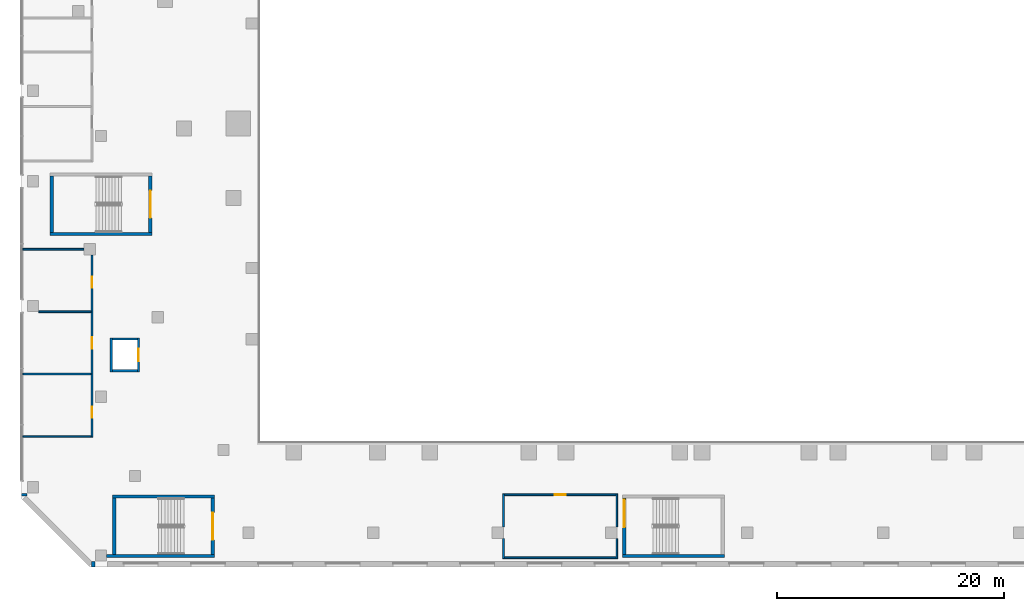
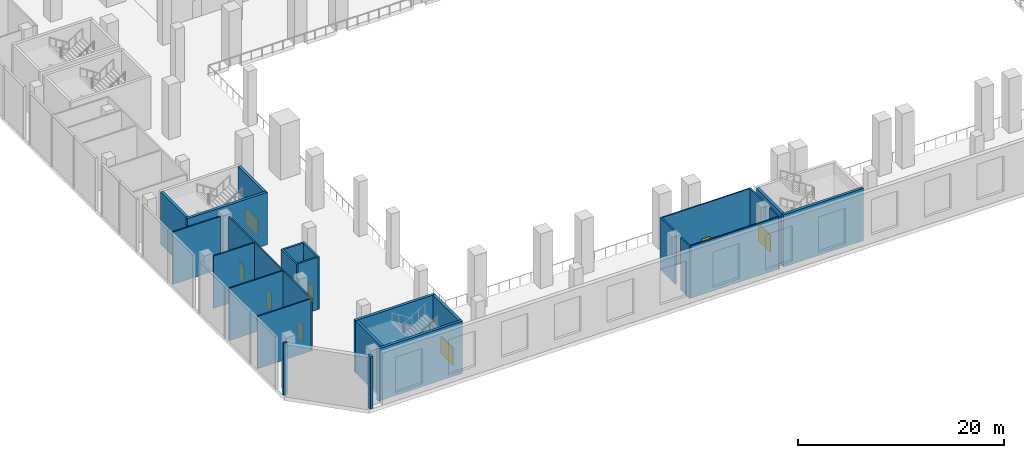
# One storey, part 10 of 30: 26 walls, 8 doors, 8 openings.
"""IFC4 building model written with IfcOpenShell, lengths in metres."""

from ifc_helpers import new_model, si_unit, direction, frame, frame_2d, origin, place, context, subcontext, project, spatial, rectangle, extrude, material, layer, layer_set, type_object, element, fill, save


model = new_model("IFC4")

# Units and contexts
model_context = context("Model", 3, precision=1e-05, world=origin(), true_north=direction((0.0, 1.0)))
body_context = subcontext(model_context, "Body", "Model", "MODEL_VIEW")
ifc_project = project(units=[si_unit("LENGTHUNIT", "METRE"), si_unit("AREAUNIT", "SQUARE_METRE"), si_unit("VOLUMEUNIT", "CUBIC_METRE"), si_unit("PLANEANGLEUNIT", "RADIAN"), si_unit("MASSUNIT", "GRAM", prefix="KILO")], contexts=[model_context])

# Site, building, storey
site_placement = place(None, origin())
site = spatial("IfcSite", under=ifc_project, at=site_placement, CompositionType="ELEMENT")
building_placement = place(site_placement, origin())
building = spatial("IfcBuilding", under=site, at=building_placement, Name="Wharfspan Tower", CompositionType="ELEMENT")
storey_placement = place(building_placement, frame((0.0, 0.0, 15.0)))
storey = spatial("IfcBuildingStorey", under=building, at=storey_placement, Name="L02", CompositionType="ELEMENT", Elevation=15.0)

# Wall
ifc_material_1 = material(Name="Calcium silicate masonry", Category="masonry")
ifc_layer_1 = layer(ifc_material_1, 0.149902)
ifc_layer_set_1 = layer_set([ifc_layer_1], Name="Calcium silicate masonry")
wall_type_1 = type_object("IfcWallType", Name="Podium room wall 150", PredefinedType="PARTITIONING", material=ifc_layer_set_1)
wall_1_placement = place(storey_placement, frame((-11.89502, -20.5, 0.0), z_axis=(0.0, 0.0, 1.0), x_axis=(1.0, 0.0, 0.0)))
element("IfcWall", 1, at=wall_1_placement, inside=storey, type_object=wall_type_1, Name="iw:L02:1", PredefinedType="PARTITIONING", context=body_context, shape_type="SweptSolid", body=[
    extrude(rectangle(XDim=6.02002, YDim=0.149902, at=frame_2d((3.01001, 0.0))), origin(), (0.0, 0.0, 1.0), 6.199951),
])

# Wall, openings, doors
wall_2_placement = place(storey_placement, frame((-5.800049, -20.574951, 0.0), z_axis=(0.0, 0.0, 1.0), x_axis=(0.0, 1.0, 0.0)))
wall_2 = element("IfcWall", 2, at=wall_2_placement, inside=storey, type_object=wall_type_1, Name="iw:L02:3", PredefinedType="PARTITIONING", context=body_context, shape_type="SweptSolid", body=[
    extrude(rectangle(XDim=16.064941, YDim=0.149902, at=frame_2d((8.032471, 0.0))), origin(), (0.0, 0.0, 1.0), 6.199951),
])
opening_1_placement = place(wall_2_placement, frame((1.709961, 0.0, 0.0)))
opening_1 = element("IfcOpeningElement", 3, at=opening_1_placement, cuts=wall_2, Name="Opening PD02.1", PredefinedType="OPENING", context=body_context, shape_type="SweptSolid", body=[
    extrude(rectangle(XDim=1.0, YDim=2.100098, at=frame_2d((0.5, 1.050049))), frame((0.0, 0.084961, 0.0), z_axis=(0.0, -1.0, 0.0), x_axis=(1.0, 0.0, 0.0)), (0.0, 0.0, 1.0), 0.169922),
])
opening_2_placement = place(wall_2_placement, frame((7.824951, 0.0, 0.0)))
opening_2 = element("IfcOpeningElement", 4, at=opening_2_placement, cuts=wall_2, Name="Opening PD02.2", PredefinedType="OPENING", context=body_context, shape_type="SweptSolid", body=[
    extrude(rectangle(XDim=1.0, YDim=2.100098, at=frame_2d((0.5, 1.050049))), frame((0.0, 0.084961, 0.0), z_axis=(0.0, -1.0, 0.0), x_axis=(1.0, 0.0, 0.0)), (0.0, 0.0, 1.0), 0.169922),
])
opening_3_placement = place(wall_2_placement, frame((13.169922, 0.0, 0.0)))
opening_3 = element("IfcOpeningElement", 5, at=opening_3_placement, cuts=wall_2, Name="Opening PD02.3", PredefinedType="OPENING", context=body_context, shape_type="SweptSolid", body=[
    extrude(rectangle(XDim=1.0, YDim=2.100098, at=frame_2d((0.5, 1.050049))), frame((0.0, 0.084961, 0.0), z_axis=(0.0, -1.0, 0.0), x_axis=(1.0, 0.0, 0.0)), (0.0, 0.0, 1.0), 0.169922),
])
ifc_material_2 = material(Name="Steel door leaf", Category="steel")
door_type_1 = type_object("IfcDoorType", Name="Podium room door 1000x2100", OperationType="SINGLE_SWING_LEFT", PredefinedType="DOOR", material=ifc_material_2)
door_1_placement = place(opening_1_placement, origin())
door_1 = element("IfcDoor", 6, at=door_1_placement, inside=storey, type_object=door_type_1, Name="id:L02:1", OperationType="SINGLE_SWING_RIGHT", OverallHeight=2.100098, OverallWidth=1.0, PredefinedType="DOOR", context=body_context, shape_type="SweptSolid", body=[
    extrude(rectangle(XDim=1.0, YDim=2.100098, at=frame_2d((0.5, 1.050049))), frame((0.0, 0.024902, 0.0), z_axis=(0.0, -1.0, 0.0), x_axis=(1.0, 0.0, 0.0)), (0.0, 0.0, 1.0), 0.050049),
])
fill(opening_1, door_1)
door_2_placement = place(opening_2_placement, origin())
door_2 = element("IfcDoor", 7, at=door_2_placement, inside=storey, type_object=door_type_1, Name="id:L02:2", OperationType="SINGLE_SWING_LEFT", OverallHeight=2.100098, OverallWidth=1.0, PredefinedType="DOOR", context=body_context, shape_type="SweptSolid", body=[
    extrude(rectangle(XDim=1.0, YDim=2.100098, at=frame_2d((0.5, 1.050049))), frame((0.0, 0.024902, 0.0), z_axis=(0.0, -1.0, 0.0), x_axis=(1.0, 0.0, 0.0)), (0.0, 0.0, 1.0), 0.050049),
])
fill(opening_2, door_2)
door_3_placement = place(opening_3_placement, origin())
door_3 = element("IfcDoor", 8, at=door_3_placement, inside=storey, type_object=door_type_1, Name="id:L02:3", OperationType="SINGLE_SWING_RIGHT", OverallHeight=2.100098, OverallWidth=1.0, PredefinedType="DOOR", context=body_context, shape_type="SweptSolid", body=[
    extrude(rectangle(XDim=1.0, YDim=2.100098, at=frame_2d((0.5, 1.050049))), frame((0.0, 0.024902, 0.0), z_axis=(0.0, -1.0, 0.0), x_axis=(1.0, 0.0, 0.0)), (0.0, 0.0, 1.0), 0.050049),
])
fill(opening_3, door_3)

# Walls
wall_3_placement = place(storey_placement, frame((-11.89502, -15.0, 0.0), z_axis=(0.0, 0.0, 1.0), x_axis=(1.0, 0.0, 0.0)))
element("IfcWall", 9, at=wall_3_placement, inside=storey, type_object=wall_type_1, Name="iw:L02:6", PredefinedType="PARTITIONING", context=body_context, shape_type="SweptSolid", body=[
    extrude(rectangle(XDim=6.02002, YDim=0.149902, at=frame_2d((3.01001, 0.0))), origin(), (0.0, 0.0, 1.0), 6.199951),
])
wall_4_placement = place(storey_placement, frame((-10.48999, -9.5, 0.0), z_axis=(0.0, 0.0, 1.0), x_axis=(1.0, 0.0, 0.0)))
element("IfcWall", 10, at=wall_4_placement, inside=storey, type_object=wall_type_1, Name="iw:L02:8", PredefinedType="PARTITIONING", context=body_context, shape_type="SweptSolid", body=[
    extrude(rectangle(XDim=4.61499, YDim=0.149902, at=frame_2d((2.307617, 0.0))), origin(), (0.0, 0.0, 1.0), 6.199951),
])
wall_5_placement = place(storey_placement, frame((-11.89502, -4.0, 0.0), z_axis=(0.0, 0.0, 1.0), x_axis=(1.0, 0.0, 0.0)))
element("IfcWall", 11, at=wall_5_placement, inside=storey, type_object=wall_type_1, Name="iw:L02:10", PredefinedType="PARTITIONING", context=body_context, shape_type="SweptSolid", body=[
    extrude(rectangle(XDim=5.38501, YDim=0.149902, at=frame_2d((2.692383, 0.0))), origin(), (0.0, 0.0, 1.0), 6.199951),
])
wall_6_placement = place(storey_placement, frame((30.574951, -31.199951, 0.0), z_axis=(0.0, 0.0, 1.0), x_axis=(1.0, 0.0, 0.0)))
element("IfcWall", 12, at=wall_6_placement, inside=storey, type_object=wall_type_1, Name="iw:L02:41", PredefinedType="PARTITIONING", context=body_context, shape_type="SweptSolid", body=[
    extrude(rectangle(XDim=9.850098, YDim=0.149902, at=frame_2d((4.925049, 0.0))), origin(), (0.0, 0.0, 1.0), 6.199951),
])
wall_7_placement = place(storey_placement, frame((40.5, -31.274902, 0.0), z_axis=(0.0, 0.0, 1.0), x_axis=(0.0, 1.0, 0.0)))
element("IfcWall", 13, at=wall_7_placement, inside=storey, type_object=wall_type_1, Name="iw:L02:42", PredefinedType="PARTITIONING", context=body_context, shape_type="SweptSolid", body=[
    extrude(rectangle(XDim=1.764893, YDim=0.149902, at=frame_2d((0.882324, 0.0))), origin(), (0.0, 0.0, 1.0), 6.199951),
])
wall_8_placement = place(storey_placement, frame((40.5, -28.48999, 0.0), z_axis=(0.0, 0.0, 1.0), x_axis=(0.0, 1.0, 0.0)))
element("IfcWall", 14, at=wall_8_placement, inside=storey, type_object=wall_type_1, Name="iw:L02:43", PredefinedType="PARTITIONING", context=body_context, shape_type="SweptSolid", body=[
    extrude(rectangle(XDim=2.915039, YDim=0.149902, at=frame_2d((1.45752, 0.0))), origin(), (0.0, 0.0, 1.0), 6.199951),
])

# Wall, opening, door
wall_9_placement = place(storey_placement, frame((30.574951, -25.649902, 0.0), z_axis=(0.0, 0.0, 1.0), x_axis=(1.0, 0.0, 0.0)))
wall_9 = element("IfcWall", 15, at=wall_9_placement, inside=storey, type_object=wall_type_1, Name="iw:L02:44", PredefinedType="PARTITIONING", context=body_context, shape_type="SweptSolid", body=[
    extrude(rectangle(XDim=9.850098, YDim=0.149902, at=frame_2d((4.925049, 0.0))), origin(), (0.0, 0.0, 1.0), 6.199951),
])
opening_4_placement = place(wall_9_placement, frame((4.425049, 0.0, 0.0)))
opening_4 = element("IfcOpeningElement", 16, at=opening_4_placement, cuts=wall_9, Name="Opening PD02.22", PredefinedType="OPENING", context=body_context, shape_type="SweptSolid", body=[
    extrude(rectangle(XDim=1.0, YDim=2.100098, at=frame_2d((0.5, 1.050049))), frame((0.0, 0.084961, 0.0), z_axis=(0.0, -1.0, 0.0), x_axis=(1.0, 0.0, 0.0)), (0.0, 0.0, 1.0), 0.169922),
])
door_4_placement = place(opening_4_placement, origin())
door_4 = element("IfcDoor", 17, at=door_4_placement, inside=storey, type_object=door_type_1, Name="id:L02:22", OperationType="SINGLE_SWING_LEFT", OverallHeight=2.100098, OverallWidth=1.0, PredefinedType="DOOR", context=body_context, shape_type="SweptSolid", body=[
    extrude(rectangle(XDim=1.0, YDim=2.100098, at=frame_2d((0.5, 1.050049))), frame((0.0, 0.024902, 0.0), z_axis=(0.0, -1.0, 0.0), x_axis=(1.0, 0.0, 0.0)), (0.0, 0.0, 1.0), 0.050049),
])
fill(opening_4, door_4)

# Walls
wall_10_placement = place(storey_placement, frame((30.5, -31.274902, 0.0), z_axis=(0.0, 0.0, 1.0), x_axis=(0.0, 1.0, 0.0)))
element("IfcWall", 18, at=wall_10_placement, inside=storey, type_object=wall_type_1, Name="iw:L02:45", PredefinedType="PARTITIONING", context=body_context, shape_type="SweptSolid", body=[
    extrude(rectangle(XDim=1.764893, YDim=0.149902, at=frame_2d((0.882324, 0.0))), origin(), (0.0, 0.0, 1.0), 6.199951),
])
wall_11_placement = place(storey_placement, frame((30.5, -28.48999, 0.0), z_axis=(0.0, 0.0, 1.0), x_axis=(0.0, 1.0, 0.0)))
element("IfcWall", 19, at=wall_11_placement, inside=storey, type_object=wall_type_1, Name="iw:L02:46", PredefinedType="PARTITIONING", context=body_context, shape_type="SweptSolid", body=[
    extrude(rectangle(XDim=2.915039, YDim=0.149902, at=frame_2d((1.45752, 0.0))), origin(), (0.0, 0.0, 1.0), 6.199951),
])
ifc_material_3 = material(Name="Concrete C30/37", Category="concrete")
ifc_layer_2 = layer(ifc_material_3, 0.199951)
ifc_layer_set_2 = layer_set([ifc_layer_2], Name="Concrete C30/37")
wall_type_2 = type_object("IfcWallType", Name="Podium shaft wall 200", PredefinedType="PARTITIONING", material=ifc_layer_set_2)
wall_12_placement = place(storey_placement, frame((-4.100098, -14.800049, 0.0), z_axis=(0.0, 0.0, 1.0), x_axis=(0.0, 1.0, 0.0)))
element("IfcWall", 20, at=wall_12_placement, inside=storey, type_object=wall_type_2, Name="pl:LP3:L02:W", PredefinedType="PARTITIONING", context=body_context, shape_type="SweptSolid", body=[
    extrude(rectangle(XDim=3.0, YDim=0.199951, at=frame_2d((1.5, 0.0))), origin(), (0.0, 0.0, 1.0), 6.199951),
])

# Wall, opening, door
wall_13_placement = place(storey_placement, frame((-1.699951, -14.800049, 0.0), z_axis=(0.0, 0.0, 1.0), x_axis=(0.0, 1.0, 0.0)))
wall_13 = element("IfcWall", 21, at=wall_13_placement, inside=storey, type_object=wall_type_2, Name="pl:LP3:L02:E", PredefinedType="PARTITIONING", context=body_context, shape_type="SweptSolid", body=[
    extrude(rectangle(XDim=3.0, YDim=0.199951, at=frame_2d((1.5, 0.0))), origin(), (0.0, 0.0, 1.0), 6.199951),
])
opening_5_placement = place(wall_13_placement, frame((0.949951, 0.0, 0.0)))
opening_5 = element("IfcOpeningElement", 22, at=opening_5_placement, cuts=wall_13, Name="Opening LDP3.L02", PredefinedType="OPENING", context=body_context, shape_type="SweptSolid", body=[
    extrude(rectangle(XDim=1.100098, YDim=2.100098, at=frame_2d((0.550049, 1.050049))), frame((0.0, 0.109863, 0.0), z_axis=(0.0, -1.0, 0.0), x_axis=(1.0, 0.0, 0.0)), (0.0, 0.0, 1.0), 0.219971),
])
ifc_material_4 = material(Name="Stainless steel", Category="steel")
door_type_2 = type_object("IfcDoorType", Name="Podium lift landing door 1100x2100", OperationType="DOUBLE_DOOR_SLIDING", PredefinedType="DOOR", material=ifc_material_4)
door_5_placement = place(opening_5_placement, origin())
door_5 = element("IfcDoor", 23, at=door_5_placement, inside=storey, type_object=door_type_2, Name="Landing door LP3 L02", OperationType="DOUBLE_DOOR_SLIDING", OverallHeight=2.100098, OverallWidth=1.100098, PredefinedType="DOOR", context=body_context, shape_type="SweptSolid", body=[
    extrude(rectangle(XDim=1.100098, YDim=2.100098, at=frame_2d((0.550049, 1.050049))), frame((0.0, 0.024902, 0.0), z_axis=(0.0, -1.0, 0.0), x_axis=(1.0, 0.0, 0.0)), (0.0, 0.0, 1.0), 0.050049),
])
fill(opening_5, door_5)

# Walls
for number, where, z_axis, x_axis, name in (
    (24, (-4.0, -14.699951, 0.0), (0.0, 0.0, 1.0), (1.0, 0.0, 0.0), "pl:LP3:L02:S"),
    (25, (-4.0, -11.899902, 0.0), (0.0, 0.0, 1.0), (1.0, 0.0, 0.0), "pl:LP3:L02:N"),
):
    element("IfcWall", number, at=place(storey_placement, frame(where, z_axis=z_axis, x_axis=x_axis)), inside=storey, type_object=wall_type_2, Name=name, PredefinedType="PARTITIONING", context=body_context, shape_type="SweptSolid", body=[
        extrude(rectangle(XDim=2.199951, YDim=0.199951, at=frame_2d((1.100098, 0.0))), origin(), (0.0, 0.0, 1.0), 6.199951),
    ])
ifc_material_5 = material(Name="Concrete C40/50", Category="concrete")
ifc_layer_3 = layer(ifc_material_5, 0.300049)
ifc_layer_set_3 = layer_set([ifc_layer_3], Name="Concrete C40/50")
wall_type_3 = type_object("IfcWallType", Name="Podium stair core wall 300", PredefinedType="SHEAR", material=ifc_layer_set_3)
wall_14_placement = place(storey_placement, frame((-4.5, -31.050049, 0.0), z_axis=(0.0, 0.0, 1.0), x_axis=(1.0, 0.0, 0.0)))
element("IfcWall", 26, at=wall_14_placement, inside=storey, type_object=wall_type_3, Name="iw:L02:AS1S", PredefinedType="SHEAR", context=body_context, shape_type="SweptSolid", body=[
    extrude(rectangle(XDim=9.5, YDim=0.300049, at=frame_2d((4.75, 0.0))), origin(), (0.0, 0.0, 1.0), 6.199951),
])
wall_15_placement = place(storey_placement, frame((-4.0, -25.800049, 0.0), z_axis=(0.0, 0.0, 1.0), x_axis=(1.0, 0.0, 0.0)))
element("IfcWall", 27, at=wall_15_placement, inside=storey, type_object=wall_type_3, Name="iw:L02:AS1N", PredefinedType="SHEAR", context=body_context, shape_type="SweptSolid", body=[
    extrude(rectangle(XDim=9.0, YDim=0.300049, at=frame_2d((4.5, 0.0))), origin(), (0.0, 0.0, 1.0), 6.199951),
])
wall_16_placement = place(storey_placement, frame((-3.850098, -30.899902, 0.0), z_axis=(0.0, 0.0, 1.0), x_axis=(0.0, 1.0, 0.0)))
element("IfcWall", 28, at=wall_16_placement, inside=storey, type_object=wall_type_3, Name="iw:L02:AS1W", PredefinedType="SHEAR", context=body_context, shape_type="SweptSolid", body=[
    extrude(rectangle(XDim=4.949951, YDim=0.300049, at=frame_2d((2.475098, 0.0))), origin(), (0.0, 0.0, 1.0), 6.199951),
])

# Wall, opening, door
wall_17_placement = place(storey_placement, frame((4.850098, -30.899902, 0.0), z_axis=(0.0, 0.0, 1.0), x_axis=(0.0, 1.0, 0.0)))
wall_17 = element("IfcWall", 29, at=wall_17_placement, inside=storey, type_object=wall_type_3, Name="iw:L02:AS1E", PredefinedType="SHEAR", context=body_context, shape_type="SweptSolid", body=[
    extrude(rectangle(XDim=4.949951, YDim=0.300049, at=frame_2d((2.475098, 0.0))), origin(), (0.0, 0.0, 1.0), 6.199951),
])
opening_6_placement = place(wall_17_placement, frame((1.274902, 0.0, 0.0)))
opening_6 = element("IfcOpeningElement", 30, at=opening_6_placement, cuts=wall_17, Name="Opening SDAS1.L02", PredefinedType="OPENING", context=body_context, shape_type="SweptSolid", body=[
    extrude(rectangle(XDim=2.399902, YDim=2.100098, at=frame_2d((1.199951, 1.050049))), frame((0.0, 0.159912, 0.0), z_axis=(0.0, -1.0, 0.0), x_axis=(1.0, 0.0, 0.0)), (0.0, 0.0, 1.0), 0.320068),
])
door_type_3 = type_object("IfcDoorType", Name="Podium stair door 2400x2100", OperationType="DOUBLE_DOOR_SINGLE_SWING", PredefinedType="DOOR", material=ifc_material_2)
door_6_placement = place(opening_6_placement, origin())
door_6 = element("IfcDoor", 31, at=door_6_placement, inside=storey, type_object=door_type_3, Name="id:L02:AS1", OperationType="DOUBLE_DOOR_SINGLE_SWING", OverallHeight=2.100098, OverallWidth=2.399902, PredefinedType="DOOR", context=body_context, shape_type="SweptSolid", body=[
    extrude(rectangle(XDim=2.399902, YDim=2.100098, at=frame_2d((1.199951, 1.050049))), frame((0.0, 0.024902, 0.0), z_axis=(0.0, -1.0, 0.0), x_axis=(1.0, 0.0, 0.0)), (0.0, 0.0, 1.0), 0.050049),
])
fill(opening_6, door_6)

# Wall
wall_18_placement = place(storey_placement, frame((41.0, -31.050049, 0.0), z_axis=(0.0, 0.0, 1.0), x_axis=(1.0, 0.0, 0.0)))
element("IfcWall", 32, at=wall_18_placement, inside=storey, type_object=wall_type_3, Name="iw:L02:AS5S", PredefinedType="SHEAR", context=body_context, shape_type="SweptSolid", body=[
    extrude(rectangle(XDim=9.0, YDim=0.300049, at=frame_2d((4.5, 0.0))), origin(), (0.0, 0.0, 1.0), 6.199951),
])

# Wall, opening, door
wall_19_placement = place(storey_placement, frame((41.149902, -30.899902, 0.0), z_axis=(0.0, 0.0, 1.0), x_axis=(0.0, 1.0, 0.0)))
wall_19 = element("IfcWall", 33, at=wall_19_placement, inside=storey, type_object=wall_type_3, Name="iw:L02:AS5W", PredefinedType="SHEAR", context=body_context, shape_type="SweptSolid", body=[
    extrude(rectangle(XDim=4.949951, YDim=0.300049, at=frame_2d((2.475098, 0.0))), origin(), (0.0, 0.0, 1.0), 6.199951),
])
opening_7_placement = place(wall_19_placement, frame((2.396973, 0.0, 0.0)))
opening_7 = element("IfcOpeningElement", 34, at=opening_7_placement, cuts=wall_19, Name="Opening SDAS5.L02", PredefinedType="OPENING", context=body_context, shape_type="SweptSolid", body=[
    extrude(rectangle(XDim=2.399902, YDim=2.100098, at=frame_2d((1.199951, 1.050049))), frame((0.0, 0.159912, 0.0), z_axis=(0.0, -1.0, 0.0), x_axis=(1.0, 0.0, 0.0)), (0.0, 0.0, 1.0), 0.320068),
])
door_7_placement = place(opening_7_placement, origin())
door_7 = element("IfcDoor", 35, at=door_7_placement, inside=storey, type_object=door_type_3, Name="id:L02:AS5", OperationType="DOUBLE_DOOR_SINGLE_SWING", OverallHeight=2.100098, OverallWidth=2.399902, PredefinedType="DOOR", context=body_context, shape_type="SweptSolid", body=[
    extrude(rectangle(XDim=2.399902, YDim=2.100098, at=frame_2d((1.199951, 1.050049))), frame((0.0, 0.024902, 0.0), z_axis=(0.0, -1.0, 0.0), x_axis=(1.0, 0.0, 0.0)), (0.0, 0.0, 1.0), 0.050049),
])
fill(opening_7, door_7)

# Walls
wall_20_placement = place(storey_placement, frame((-9.5, -2.649902, 0.0), z_axis=(0.0, 0.0, 1.0), x_axis=(1.0, 0.0, 0.0)))
element("IfcWall", 36, at=wall_20_placement, inside=storey, type_object=wall_type_3, Name="iw:L02:AS7S", PredefinedType="SHEAR", context=body_context, shape_type="SweptSolid", body=[
    extrude(rectangle(XDim=9.0, YDim=0.300049, at=frame_2d((4.5, 0.0))), origin(), (0.0, 0.0, 1.0), 6.199951),
])
wall_21_placement = place(storey_placement, frame((-9.350098, -2.5, 0.0), z_axis=(0.0, 0.0, 1.0), x_axis=(0.0, 1.0, 0.0)))
element("IfcWall", 37, at=wall_21_placement, inside=storey, type_object=wall_type_3, Name="iw:L02:AS7W", PredefinedType="SHEAR", context=body_context, shape_type="SweptSolid", body=[
    extrude(rectangle(XDim=4.949951, YDim=0.300049, at=frame_2d((2.475098, 0.0))), origin(), (0.0, 0.0, 1.0), 6.199951),
])

# Wall, opening, door
wall_22_placement = place(storey_placement, frame((-0.649902, -2.5, 0.0), z_axis=(0.0, 0.0, 1.0), x_axis=(0.0, 1.0, 0.0)))
wall_22 = element("IfcWall", 38, at=wall_22_placement, inside=storey, type_object=wall_type_3, Name="iw:L02:AS7E", PredefinedType="SHEAR", context=body_context, shape_type="SweptSolid", body=[
    extrude(rectangle(XDim=4.949951, YDim=0.300049, at=frame_2d((2.475098, 0.0))), origin(), (0.0, 0.0, 1.0), 6.199951),
])
opening_8_placement = place(wall_22_placement, frame((1.274902, 0.0, 0.0)))
opening_8 = element("IfcOpeningElement", 39, at=opening_8_placement, cuts=wall_22, Name="Opening SDAS7.L02", PredefinedType="OPENING", context=body_context, shape_type="SweptSolid", body=[
    extrude(rectangle(XDim=2.399902, YDim=2.100098, at=frame_2d((1.199951, 1.050049))), frame((0.0, 0.159912, 0.0), z_axis=(0.0, -1.0, 0.0), x_axis=(1.0, 0.0, 0.0)), (0.0, 0.0, 1.0), 0.320068),
])
door_8_placement = place(opening_8_placement, origin())
door_8 = element("IfcDoor", 40, at=door_8_placement, inside=storey, type_object=door_type_3, Name="id:L02:AS7", OperationType="DOUBLE_DOOR_SINGLE_SWING", OverallHeight=2.100098, OverallWidth=2.399902, PredefinedType="DOOR", context=body_context, shape_type="SweptSolid", body=[
    extrude(rectangle(XDim=2.399902, YDim=2.100098, at=frame_2d((1.199951, 1.050049))), frame((0.0, 0.024902, 0.0), z_axis=(0.0, -1.0, 0.0), x_axis=(1.0, 0.0, 0.0)), (0.0, 0.0, 1.0), 0.050049),
])
fill(opening_8, door_8)

# Walls
ifc_layer_4 = layer(ifc_material_5, 0.449951)
ifc_layer_set_4 = layer_set([ifc_layer_4], Name="Concrete C40/50")
wall_type_4 = type_object("IfcWallType", Name="WALL BOARD-MARKED CONCRETE 450", PredefinedType="SOLIDWALL", material=ifc_layer_set_4)
wall_23_placement = place(storey_placement, frame((-5.840088, -31.774902, 0.0), z_axis=(0.0, 0.0, 1.0), x_axis=(1.0, 0.0, 0.0)))
element("IfcWall", 41, at=wall_23_placement, inside=storey, type_object=wall_type_4, Name="Podium wall PF1", PredefinedType="SOLIDWALL", context=body_context, shape_type="SweptSolid", body=[
    extrude(rectangle(XDim=0.290039, YDim=0.449951, at=frame_2d((0.14502, 0.0))), origin(), (0.0, 0.0, 1.0), 6.199951),
])
wall_24_placement = place(storey_placement, frame((-11.774902, -25.550049, 0.0), z_axis=(0.0, 0.0, 1.0), x_axis=(0.0, -1.0, 0.0)))
element("IfcWall", 42, at=wall_24_placement, inside=storey, type_object=wall_type_4, Name="Podium wall PF12", PredefinedType="SOLIDWALL", context=body_context, shape_type="SweptSolid", body=[
    extrude(rectangle(XDim=0.199951, YDim=0.449951, at=frame_2d((0.100098, 0.0))), origin(), (0.0, 0.0, 1.0), 6.199951),
])

save(model, "model.ifc")
